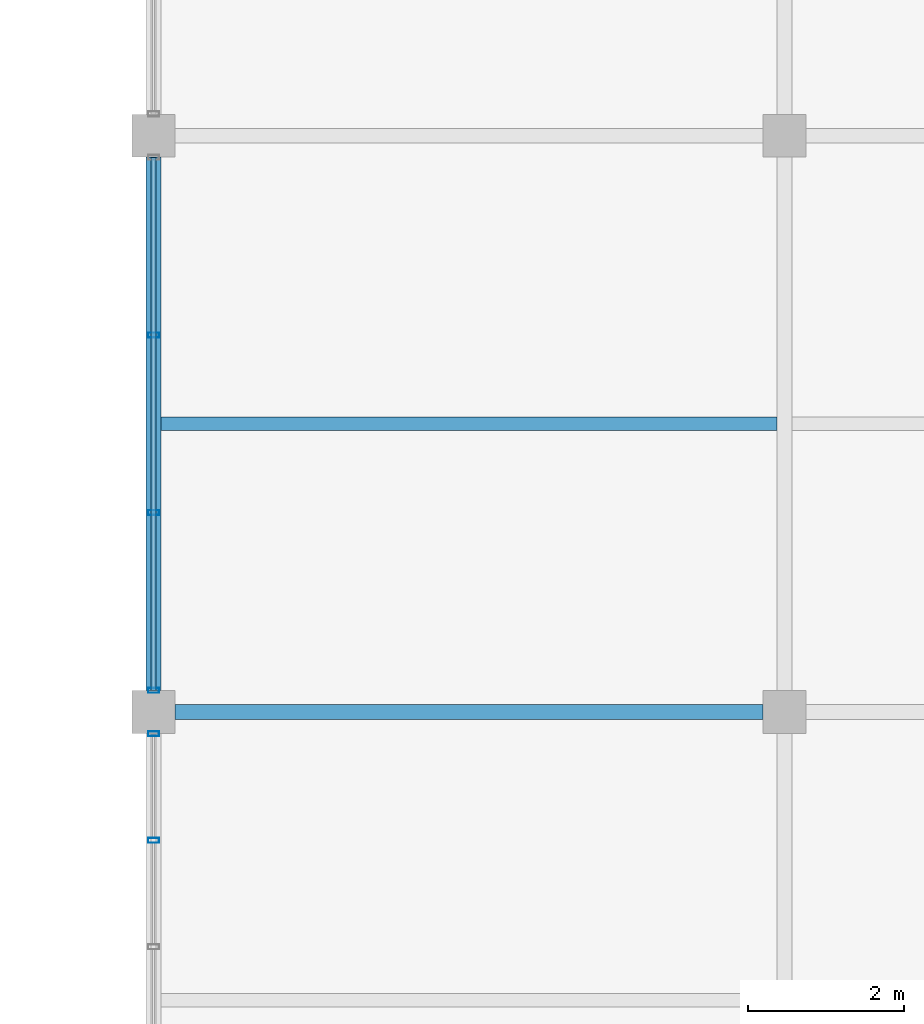
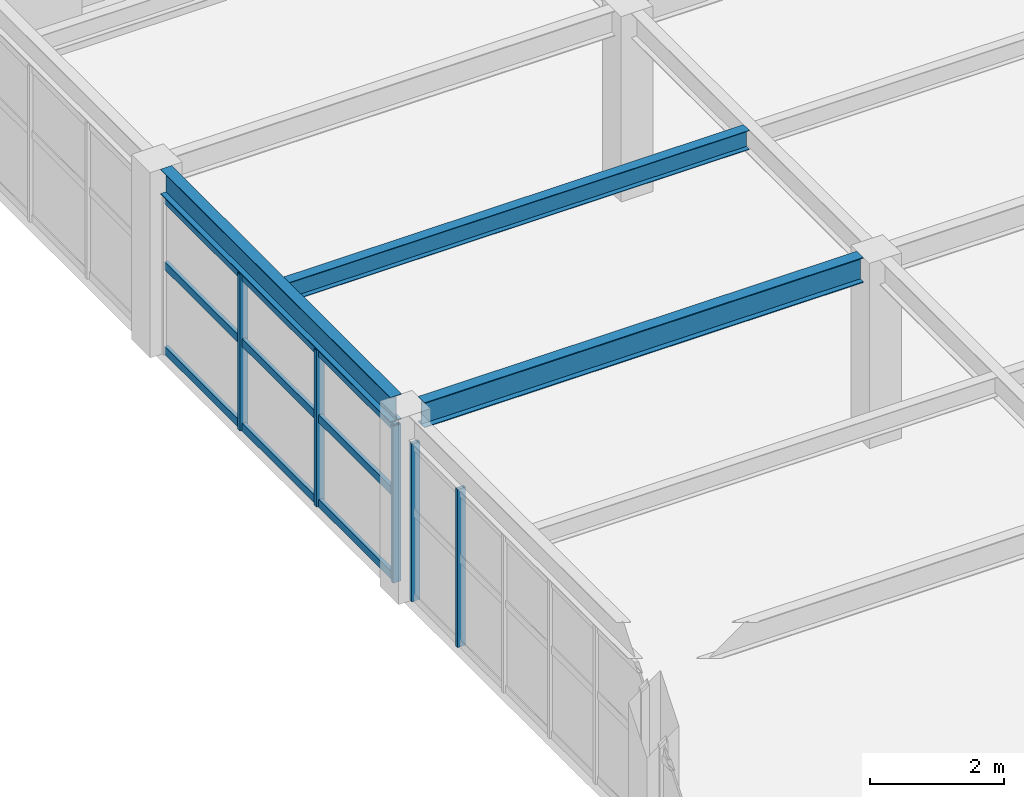
# One storey, part 66 of 121: 8 members, 3 beams, 2 elements without a shape of their own.
"""IFC4 building model written with IfcOpenShell, lengths in metres."""

import ifcopenshell
import ifcopenshell.guid

model = None  # the IFC model being written
_history = None  # IfcOwnerHistory: only IFC2X3 demands one
_inside = {}  # id of a spatial element -> (the spatial element, [elements in it])
_under = {}  # id of a project, library or spatial element -> (it, [spatial elements below it])
_declared = {}  # id of a project -> (the project, [libraries it declares])
_typed = {}  # id of a type object -> (the type object, [elements of that type])
_made_of = {}  # id of a material, layer set ... -> (it, [elements and type objects made of it])


def new_model(schema):
    """Start an empty IFC model of exactly this schema.

    Asked for "IFC4X3", IfcOpenShell would pick the latest addendum, in which some entities
    have other attributes; the version numbers below select the first issue.
    IFC2X3 requires an IfcOwnerHistory on every rooted entity: one is made here for all.
    """
    global model, _history
    if schema == "IFC4X3":
        model = ifcopenshell.file(schema_version=(4, 3, 0, 0))
    else:
        model = ifcopenshell.file(schema=schema)
    _inside.clear()
    _under.clear()
    _declared.clear()
    _typed.clear()
    _made_of.clear()
    _history = None
    if model.schema == "IFC2X3":
        org = make("IfcOrganization", Name="unknown")
        user = make(
            "IfcPersonAndOrganization",
            ThePerson=make("IfcPerson", FamilyName="unknown"),
            TheOrganization=org,
        )
        app = make(
            "IfcApplication",
            ApplicationDeveloper=org,
            Version="unknown",
            ApplicationFullName="unknown",
            ApplicationIdentifier="unknown",
        )
        _history = make(
            "IfcOwnerHistory",
            OwningUser=user,
            OwningApplication=app,
            ChangeAction="ADDED",
            CreationDate=0,
        )
    return model


def make(cls, **values):
    """One entity of the class cls with the attributes given. An attribute that is None is left unset."""
    return model.create_entity(
        cls, **{name: value for name, value in values.items() if value is not None}
    )


def rooted(cls, **values):
    """An entity with a GlobalId (a new one), such as an element, a storey or a relation."""
    return make(cls, GlobalId=ifcopenshell.guid.new(), OwnerHistory=_history, **values)


def si_unit(unit_type, name, prefix=None):
    """IfcSIUnit, for example si_unit("LENGTHUNIT", "METRE", prefix="MILLI")."""
    return make("IfcSIUnit", UnitType=unit_type, Prefix=prefix, Name=name)


def assignment(units):
    """IfcUnitAssignment: the units of a project."""
    return None if units is None else make("IfcUnitAssignment", Units=units)


def point(xyz):
    """IfcCartesianPoint."""
    return None if xyz is None else make("IfcCartesianPoint", Coordinates=xyz)


def direction(xyz):
    """IfcDirection."""
    return None if xyz is None else make("IfcDirection", DirectionRatios=xyz)


def frame(location, z_axis=None, x_axis=None):
    """IfcAxis2Placement3D, a coordinate frame: its origin and axes. An axis left out is left unset."""
    return make(
        "IfcAxis2Placement3D",
        Location=point(location),
        Axis=direction(z_axis),
        RefDirection=direction(x_axis),
    )


def frame_2d(location, x_axis=None):
    """IfcAxis2Placement2D, a coordinate frame in the plane: its origin and x axis."""
    return make(
        "IfcAxis2Placement2D", Location=point(location), RefDirection=direction(x_axis)
    )


def origin():
    """The frame at (0, 0, 0) with its axes left unset."""
    return frame((0.0, 0.0, 0.0))


def origin_2d():
    """The frame at (0, 0) in the plane with its x axis left unset."""
    return frame_2d((0.0, 0.0))


def place(relative_to, where):
    """IfcLocalPlacement: puts the frame where relative to a parent placement (None: the world)."""
    return make(
        "IfcLocalPlacement", PlacementRelTo=relative_to, RelativePlacement=where
    )


def context(
    kind, dimensions, precision=None, world=None, true_north=None, identifier=None
):
    """IfcGeometricRepresentationContext, for example the 3D "Model" context."""
    return make(
        "IfcGeometricRepresentationContext",
        ContextIdentifier=identifier,
        ContextType=kind,
        CoordinateSpaceDimension=dimensions,
        Precision=precision,
        WorldCoordinateSystem=world,
        TrueNorth=true_north,
    )


def subcontext(parent, identifier, kind, view, scale=None):
    """IfcGeometricRepresentationSubContext, for example "Body" below "Model"."""
    return make(
        "IfcGeometricRepresentationSubContext",
        ContextIdentifier=identifier,
        ContextType=kind,
        ParentContext=parent,
        TargetScale=scale,
        TargetView=view,
    )


def project(units=None, contexts=None):
    """IfcProject with its units and contexts."""
    return rooted(
        "IfcProject",
        Name="project",
        RepresentationContexts=contexts,
        UnitsInContext=assignment(units),
    )


def spatial(cls, under=None, at=None, **own):
    """A site, building, storey or space (cls), placed at a placement, below another one or the project."""
    s = rooted(cls, ObjectPlacement=at, **own)
    if under is not None:
        _under.setdefault(under.id(), (under, []))[1].append(s)
    return s


def profile(cls, at=None, kind="AREA", **sizes):
    """A parametric profile (cls). Its sizes go by their IFC names, for example OverallWidth=200.0."""
    return make(cls, ProfileType=kind, Position=at, **sizes)


def hollow_rectangle(**sizes):
    """IfcRectangleHollowProfileDef."""
    return profile("IfcRectangleHollowProfileDef", **sizes)


def i_section(**sizes):
    """IfcIShapeProfileDef."""
    return profile("IfcIShapeProfileDef", **sizes)


def extrude(swept, where, along, depth):
    """IfcExtrudedAreaSolid: the profile swept, set in the frame where, extruded along a direction by depth."""
    return make(
        "IfcExtrudedAreaSolid",
        SweptArea=swept,
        Position=where,
        ExtrudedDirection=direction(along),
        Depth=depth,
    )


def shape(context_of_items, identifier, shape_type, items):
    """IfcShapeRepresentation: the items that make up one representation, for example the "Body"."""
    return make(
        "IfcShapeRepresentation",
        ContextOfItems=context_of_items,
        RepresentationIdentifier=identifier,
        RepresentationType=shape_type,
        Items=items,
    )


def material(Name=None, Category=None):
    """IfcMaterial."""
    return make("IfcMaterial", Name=Name, Category=Category)


def material_profile(
    of_material, cross_section, Name=None, Category=None, Priority=None
):
    """IfcMaterialProfile: a cross section and its material."""
    return make(
        "IfcMaterialProfile",
        Name=Name,
        Material=of_material,
        Profile=cross_section,
        Priority=Priority,
        Category=Category,
    )


def profile_set(profiles, Name=None, composite=None):
    """IfcMaterialProfileSet."""
    return make(
        "IfcMaterialProfileSet",
        Name=Name,
        MaterialProfiles=profiles,
        CompositeProfile=composite,
    )


def made_of(thing, what):
    """Note that an element or type object is made of a material, layer set ...; save() writes the relation."""
    if what is not None:
        _made_of.setdefault(what.id(), (what, []))[1].append(thing)
    return thing


def type_object(cls, material=None, **own):
    """A type object (cls), such as IfcWallType, which elements share."""
    return made_of(rooted(cls, **own), material)


def element(
    cls,
    number,
    at=None,
    inside=None,
    cuts=None,
    type_object=None,
    material=None,
    context=None,
    identifier="Body",
    shape_type=None,
    held_by="IfcProductDefinitionShape",
    body=None,
    shapes=None,
    **own,
):
    """One element of the class cls, such as IfcWall. Its Tag is "e" and its number.

    at: its placement. inside: the storey or other place that contains it. cuts: it is an
    opening in that element (IfcRelVoidsElement). A single representation is given by context,
    identifier, shape_type and body (its items); several are given by shapes. held_by: the class
    of the entity that holds the representations. save() writes the other relations.
    """
    e = rooted(cls, Tag="e%d" % number, ObjectPlacement=at, **own)
    if body is not None:
        shapes = [shape(context, identifier, shape_type, body)]
    if shapes is not None:
        e.Representation = make(held_by, Representations=shapes)
    if inside is not None:
        _inside.setdefault(inside.id(), (inside, []))[1].append(e)
    if cuts is not None:
        rooted(
            "IfcRelVoidsElement", RelatingBuildingElement=cuts, RelatedOpeningElement=e
        )
    if type_object is not None:
        _typed.setdefault(type_object.id(), (type_object, []))[1].append(e)
    return made_of(e, material)


def aggregate(whole, parts):
    """IfcRelAggregates: a whole, such as a stair, and the parts it consists of."""
    return rooted("IfcRelAggregates", RelatingObject=whole, RelatedObjects=parts)


def save(model, path):
    """Write the relations noted so far, then the file.

    IfcRelAggregates (storeys below a building ...), IfcRelContainedInSpatialStructure (elements
    in a storey), IfcRelDefinesByType, IfcRelAssociatesMaterial and IfcRelDeclares: one each for
    every whole, place, type object, material and project.
    """
    for whole, parts in _under.values():
        aggregate(whole, parts)
    for where, things in _inside.values():
        rooted(
            "IfcRelContainedInSpatialStructure",
            RelatedElements=things,
            RelatingStructure=where,
        )
    for kind, things in _typed.values():
        rooted("IfcRelDefinesByType", RelatedObjects=things, RelatingType=kind)
    for what, things in _made_of.values():
        rooted("IfcRelAssociatesMaterial", RelatedObjects=things, RelatingMaterial=what)
    for by, libraries in _declared.values():
        rooted("IfcRelDeclares", RelatingContext=by, RelatedDefinitions=libraries)
    model.write(path)


model = new_model("IFC4")

# Units and contexts
model_context = context("Model", 3, precision=1e-05, world=origin(), true_north=direction((0.0, 1.0)))
body_context = subcontext(model_context, "Body", "Model", "MODEL_VIEW")
ifc_project = project(units=[si_unit("LENGTHUNIT", "METRE"), si_unit("AREAUNIT", "SQUARE_METRE"), si_unit("VOLUMEUNIT", "CUBIC_METRE"), si_unit("PLANEANGLEUNIT", "RADIAN"), si_unit("MASSUNIT", "GRAM", prefix="KILO")], contexts=[model_context])

# Site, building, storey
site_placement = place(None, origin())
site = spatial("IfcSite", under=ifc_project, at=site_placement, CompositionType="ELEMENT")
building_placement = place(site_placement, origin())
building = spatial("IfcBuilding", under=site, at=building_placement, Name="Cimatlan Art Gallery", CompositionType="ELEMENT")
storey_placement = place(building_placement, frame((0.0, 0.0, 10.199951171875)))
storey = spatial("IfcBuildingStorey", under=building, at=storey_placement, Name="L02", CompositionType="ELEMENT", Elevation=10.199951171875)

# Beams
ifc_material_1 = material(Name="Steel ASTM A992 Grade 50", Category="steel")
ifc_material_profile_1 = material_profile(ifc_material_1, i_section(OverallWidth=0.1708984375, OverallDepth=0.35107421875, WebThickness=0.0068359375, FlangeThickness=0.009765625, at=origin_2d()), Name="W14X30")
ifc_profile_set_1 = profile_set([ifc_material_profile_1], Name="Steel ASTM A992 Grade 50")
beam_type_1 = type_object("IfcBeamType", Name="BM-STL-W14X30", PredefinedType="JOIST", material=ifc_profile_set_1)
beam_1_placement = place(storey_placement, frame((115.49560546875, 72.0, 3.194580078125), z_axis=(1.0, 0.0, 0.0), x_axis=(0.0, 1.0, 0.0)))
element("IfcBeam", 1, at=beam_1_placement, inside=storey, type_object=beam_type_1, Name="JST-L02-14-09", PredefinedType="JOIST", context=body_context, shape_type="SweptSolid", body=[
    extrude(i_section(OverallWidth=0.1708984375, OverallDepth=0.35107421875, WebThickness=0.0068359375, FlangeThickness=0.009765625, at=origin_2d()), origin(), (0.0, 0.0, 1.0), 7.908935546875),
])
ifc_material_profile_2 = material_profile(ifc_material_1, i_section(OverallWidth=0.19091796875, OverallDepth=0.45703125, WebThickness=0.009033203125, FlangeThickness=0.014404296875, at=origin_2d()), Name="W18X50")
ifc_profile_set_2 = profile_set([ifc_material_profile_2], Name="Steel ASTM A992 Grade 50")
beam_type_2 = type_object("IfcBeamType", Name="BM-STL-W18X50", PredefinedType="BEAM", material=ifc_profile_set_2)
beam_2_placement = place(storey_placement, frame((115.39990234375, 68.574951171875, 3.1416015625), z_axis=(0.0, 1.0, 0.0), x_axis=(-1.0, 0.0, 0.0)))
element("IfcBeam", 2, at=beam_2_placement, inside=storey, type_object=beam_type_2, Name="BM-Y-L02-14-09", PredefinedType="BEAM", context=body_context, shape_type="SweptSolid", body=[
    extrude(i_section(OverallWidth=0.19091796875, OverallDepth=0.45703125, WebThickness=0.009033203125, FlangeThickness=0.014404296875, at=origin_2d()), origin(), (0.0, 0.0, 1.0), 6.85009765625),
])
beam_3_placement = place(storey_placement, frame((115.675048828125, 68.300048828125, 3.1416015625), z_axis=(1.0, 0.0, 0.0), x_axis=(0.0, 1.0, 0.0)))
element("IfcBeam", 3, at=beam_3_placement, inside=storey, type_object=beam_type_2, Name="BM-X-L02-14-09", PredefinedType="BEAM", context=body_context, shape_type="SweptSolid", body=[
    extrude(i_section(OverallWidth=0.19091796875, OverallDepth=0.45703125, WebThickness=0.009033203125, FlangeThickness=0.014404296875, at=origin_2d()), origin(), (0.0, 0.0, 1.0), 7.550048828125),
])

# Curtain wall, members
ifc_material_2 = material(Name="Anodised bronze unitised curtain wall")
curtain_wall_type_1 = type_object("IfcCurtainWallType", Name="CW-V-06842X02868-B5", PredefinedType="NOTDEFINED", material=ifc_material_2)
curtain_wall_1_placement = place(storey_placement, origin())
curtain_wall_1 = element("IfcCurtainWall", 4, at=curtain_wall_1_placement, inside=storey, type_object=curtain_wall_type_1, Name="CW-L02-14-08-W", PredefinedType="NOTDEFINED")
ifc_material_3 = material(Name="Anodised bronze aluminium 6063-T6", Category="aluminium")
ifc_material_profile_3 = material_profile(ifc_material_3, hollow_rectangle(XDim=0.06494140625, YDim=0.139892578125, WallThickness=0.00390625, at=origin_2d()), Name="ALU65X140X4")
ifc_profile_set_3 = profile_set([ifc_material_profile_3], Name="Anodised bronze aluminium 6063-T6")
member_type_1 = type_object("IfcMemberType", Name="CW-MUL-140", PredefinedType="MULLION", material=ifc_profile_set_3)
member_1_placement = place(storey_placement, frame((115.39990234375, 66.652587890625, 0.0), z_axis=(0.0, 0.0, 1.0), x_axis=(0.0, 1.0, 0.0)))
member_1 = element("IfcMember", 5, at=member_1_placement, type_object=member_type_1, Name="CW-L02-14-08-W-M5", PredefinedType="MULLION", context=body_context, shape_type="SweptSolid", body=[
    extrude(hollow_rectangle(XDim=0.06494140625, YDim=0.139892578125, WallThickness=0.00390625, at=origin_2d()), origin(), (0.0, 0.0, 1.0), 2.8681640625),
])
member_2_placement = place(storey_placement, frame((115.39990234375, 68.02099609375, 0.0), z_axis=(0.0, 0.0, 1.0), x_axis=(0.0, 1.0, 0.0)))
member_2 = element("IfcMember", 6, at=member_2_placement, type_object=member_type_1, Name="CW-L02-14-08-W-M6", PredefinedType="MULLION", context=body_context, shape_type="SweptSolid", body=[
    extrude(hollow_rectangle(XDim=0.06494140625, YDim=0.139892578125, WallThickness=0.00390625, at=origin_2d()), origin(), (0.0, 0.0, 1.0), 2.8681640625),
])
aggregate(curtain_wall_1, [member_1, member_2])

curtain_wall_type_2 = type_object("IfcCurtainWallType", Name="CW-V-06842X02853-B3", PredefinedType="NOTDEFINED", material=ifc_material_2)
curtain_wall_2_placement = place(storey_placement, origin())
curtain_wall_2 = element("IfcCurtainWall", 7, at=curtain_wall_2_placement, inside=storey, type_object=curtain_wall_type_2, Name="CW-L02-14-09-W", PredefinedType="NOTDEFINED")
member_3_placement = place(storey_placement, frame((115.39990234375, 68.5791015625, 0.0), z_axis=(0.0, 0.0, 1.0), x_axis=(0.0, 1.0, 0.0)))
member_3 = element("IfcMember", 8, at=member_3_placement, type_object=member_type_1, Name="CW-L02-14-09-W-M1", PredefinedType="MULLION", context=body_context, shape_type="SweptSolid", body=[
    extrude(hollow_rectangle(XDim=0.06494140625, YDim=0.139892578125, WallThickness=0.00390625, at=origin_2d()), origin(), (0.0, 0.0, 1.0), 2.85302734375),
])
member_4_placement = place(storey_placement, frame((115.39990234375, 70.859619140625, 0.0), z_axis=(0.0, 0.0, 1.0), x_axis=(0.0, 1.0, 0.0)))
member_4 = element("IfcMember", 9, at=member_4_placement, type_object=member_type_1, Name="CW-L02-14-09-W-M2", PredefinedType="MULLION", context=body_context, shape_type="SweptSolid", body=[
    extrude(hollow_rectangle(XDim=0.06494140625, YDim=0.139892578125, WallThickness=0.00390625, at=origin_2d()), origin(), (0.0, 0.0, 1.0), 2.85302734375),
])
member_5_placement = place(storey_placement, frame((115.39990234375, 73.140380859375, 0.0), z_axis=(0.0, 0.0, 1.0), x_axis=(0.0, 1.0, 0.0)))
member_5 = element("IfcMember", 10, at=member_5_placement, type_object=member_type_1, Name="CW-L02-14-09-W-M3", PredefinedType="MULLION", context=body_context, shape_type="SweptSolid", body=[
    extrude(hollow_rectangle(XDim=0.06494140625, YDim=0.139892578125, WallThickness=0.00390625, at=origin_2d()), origin(), (0.0, 0.0, 1.0), 2.85302734375),
])
ifc_material_profile_4 = material_profile(ifc_material_3, hollow_rectangle(XDim=0.06494140625, YDim=0.139892578125, WallThickness=0.00390625, at=origin_2d()), Name="ALU65X140X4")
ifc_profile_set_4 = profile_set([ifc_material_profile_4], Name="Anodised bronze aluminium 6063-T6")
member_type_2 = type_object("IfcMemberType", Name="CW-TRN-140", PredefinedType="USERDEFINED", material=ifc_profile_set_4)
member_6_placement = place(storey_placement, frame((115.39990234375, 68.5791015625, 0.06005859375), z_axis=(0.0, 1.0, 0.0), x_axis=(-1.0, 0.0, 0.0)))
member_6 = element("IfcMember", 11, at=member_6_placement, type_object=member_type_2, Name="CW-L02-14-09-W-T1", ObjectType="TRANSOM", PredefinedType="USERDEFINED", context=body_context, shape_type="SweptSolid", body=[
    extrude(hollow_rectangle(XDim=0.06494140625, YDim=0.139892578125, WallThickness=0.00390625, at=origin_2d()), origin(), (0.0, 0.0, 1.0), 6.841796875),
])
member_7_placement = place(storey_placement, frame((115.39990234375, 68.5791015625, 1.59765625), z_axis=(0.0, 1.0, 0.0), x_axis=(-1.0, 0.0, 0.0)))
member_7 = element("IfcMember", 12, at=member_7_placement, type_object=member_type_2, Name="CW-L02-14-09-W-T2", ObjectType="TRANSOM", PredefinedType="USERDEFINED", context=body_context, shape_type="SweptSolid", body=[
    extrude(hollow_rectangle(XDim=0.06494140625, YDim=0.139892578125, WallThickness=0.00390625, at=origin_2d()), origin(), (0.0, 0.0, 1.0), 6.841796875),
])
member_8_placement = place(storey_placement, frame((115.39990234375, 68.5791015625, 2.79296875), z_axis=(0.0, 1.0, 0.0), x_axis=(-1.0, 0.0, 0.0)))
member_8 = element("IfcMember", 13, at=member_8_placement, type_object=member_type_2, Name="CW-L02-14-09-W-T3", ObjectType="TRANSOM", PredefinedType="USERDEFINED", context=body_context, shape_type="SweptSolid", body=[
    extrude(hollow_rectangle(XDim=0.06494140625, YDim=0.139892578125, WallThickness=0.00390625, at=origin_2d()), origin(), (0.0, 0.0, 1.0), 6.841796875),
])
aggregate(curtain_wall_2, [member_3, member_4, member_5, member_6, member_7, member_8])

save(model, "model.ifc")
